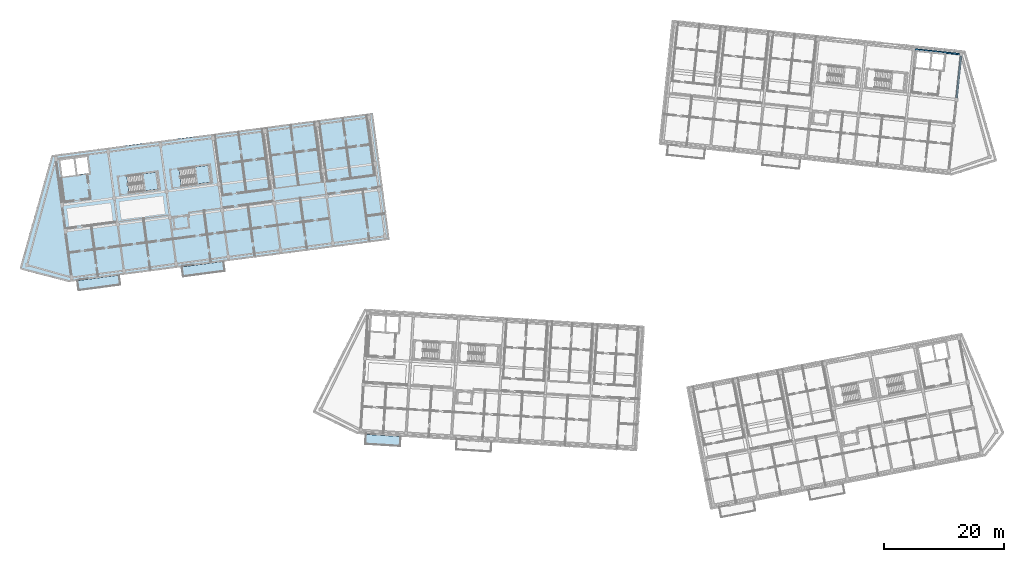
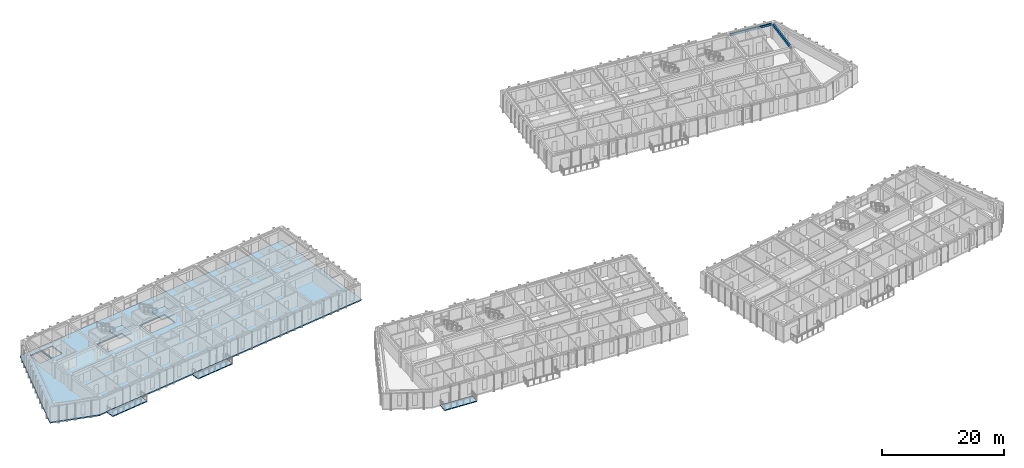
# One storey, part 16 of 66: 6 slabs, 2 beams, 2 elements without a shape of their own.
"""IFC4 building model written with IfcOpenShell, lengths in metres."""

from ifc_helpers import new_model, si_unit, direction, frame, origin, origin_2d, place, context, subcontext, project, spatial, polyline, rectangle, outline, extrude, material, layer, layer_set, material_profile, profile_set, type_object, element, aggregate, save


model = new_model("IFC4")

# Units and contexts
model_context = context("Model", 3, precision=1e-05, world=origin(), true_north=direction((0.0, 1.0)))
body_context = subcontext(model_context, "Body", "Model", "MODEL_VIEW")
ifc_project = project(units=[si_unit("LENGTHUNIT", "METRE"), si_unit("AREAUNIT", "SQUARE_METRE"), si_unit("VOLUMEUNIT", "CUBIC_METRE"), si_unit("PLANEANGLEUNIT", "RADIAN"), si_unit("MASSUNIT", "GRAM", prefix="KILO")], contexts=[model_context])

# Site, building, storey
site_placement = place(None, origin())
site = spatial("IfcSite", under=ifc_project, at=site_placement, CompositionType="ELEMENT")
building_placement = place(site_placement, origin())
building = spatial("IfcBuilding", under=site, at=building_placement, Name="Kestramere Prow Commons", CompositionType="ELEMENT")
storey_placement = place(building_placement, frame((0.0, 0.0, 14.89990234375)))
storey = spatial("IfcBuildingStorey", under=building, at=storey_placement, Name="L04", CompositionType="ELEMENT", Elevation=14.89990234375)

# Beams
ifc_material_1 = material(Name="Precast concrete C40/50", Category="concrete")
ifc_material_profile_1 = material_profile(ifc_material_1, rectangle(XDim=0.300048828125, YDim=0.5, at=origin_2d()), Name="PC-BM 300x500")
ifc_profile_set_1 = profile_set([ifc_material_profile_1], Name="Precast concrete C40/50")
beam_type_1 = type_object("IfcBeamType", Name="BM-TIE-01 PC-BM 300x500", PredefinedType="BEAM", material=ifc_profile_set_1)
beam_1_placement = place(storey_placement, frame((159.02001953125, 101.990478515625, 2.75), z_axis=(0.104549582151, 0.994519675458, 0.0), x_axis=(-0.994519675458, 0.104549582151, 0.0)))
element("IfcBeam", 1, at=beam_1_placement, inside=storey, type_object=beam_type_1, Name="Block B L04 Transverse Beam 7-3", PredefinedType="BEAM", context=body_context, shape_type="SweptSolid", body=[
    extrude(rectangle(XDim=0.300048828125, YDim=0.5, at=origin_2d()), origin(), (0.0, 0.0, 1.0), 7.0498046875),
])
ifc_material_profile_2 = material_profile(ifc_material_1, rectangle(XDim=0.25, YDim=0.39990234375, at=origin_2d()), Name="PC-SP 250x400")
ifc_profile_set_2 = profile_set([ifc_material_profile_2], Name="Precast concrete C40/50")
beam_type_2 = type_object("IfcBeamType", Name="SP-EXT-01 PC-SP 250x400", PredefinedType="SPANDREL", material=ifc_profile_set_2)
beam_2_placement = place(storey_placement, frame((152.10302734375, 110.082763671875, 2.800048828125), z_axis=(0.994520884665, -0.104538079019, 0.0), x_axis=(0.104538079019, 0.994520884665, 0.0)))
element("IfcBeam", 2, at=beam_2_placement, inside=storey, type_object=beam_type_2, Name="Block B L04 Longitudinal Beam 4-6", PredefinedType="SPANDREL", context=body_context, shape_type="SweptSolid", body=[
    extrude(rectangle(XDim=0.25, YDim=0.39990234375, at=origin_2d()), origin(), (0.0, 0.0, 1.0), 7.449951171875),
])

# Slabs
ifc_layer_1 = layer(ifc_material_1, 0.179931640625)
ifc_layer_set_1 = layer_set([ifc_layer_1], Name="Precast concrete C40/50")
slab_type_1 = type_object("IfcSlabType", Name="SL-BALC-180", PredefinedType="FLOOR", material=ifc_layer_set_1)
slab_1_placement = place(storey_placement, frame((0.0, 0.0, -0.179931640625)))
element("IfcSlab", 3, at=slab_1_placement, inside=storey, type_object=slab_type_1, Name="Block A L04 Apartment Balcony Slab 1", PredefinedType="FLOOR", context=body_context, shape_type="SweptSolid", body=[
    extrude(outline(polyline([(12.343017578125, 69.83056640625), (19.382080078125, 70.75732421875), (19.166748046875, 72.393310546875), (12.127685546875, 71.466552734375), (12.343017578125, 69.83056640625)])), origin(), (0.0, 0.0, 1.0), 0.179931640625),
])
slab_2_placement = place(storey_placement, frame((0.0, 0.0, -0.179931640625)))
element("IfcSlab", 4, at=slab_2_placement, inside=storey, type_object=slab_type_1, Name="Block A L04 Apartment Balcony Slab 3", PredefinedType="FLOOR", context=body_context, shape_type="SweptSolid", body=[
    extrude(outline(polyline([(29.79248046875, 72.1279296875), (36.83154296875, 73.0546875), (36.6162109375, 74.6904296875), (29.576904296875, 73.763671875), (29.79248046875, 72.1279296875)])), origin(), (0.0, 0.0, 1.0), 0.179931640625),
])
slab_3_placement = place(storey_placement, frame((0.0, 0.0, -0.179931640625)))
element("IfcSlab", 5, at=slab_3_placement, inside=storey, type_object=slab_type_1, Name="Block C L04 Apartment Balcony Slab 1", PredefinedType="FLOOR", context=body_context, shape_type="SweptSolid", body=[
    extrude(outline(polyline([(60.2080078125, 44.15234375), (66.096923828125, 43.792236328125), (66.19775390625, 45.439208984375), (60.308837890625, 45.79931640625), (60.2080078125, 44.15234375)])), origin(), (0.0, 0.0, 1.0), 0.179931640625),
])
ifc_layer_2 = layer(ifc_material_1, 0.25)
ifc_layer_set_2 = layer_set([ifc_layer_2], Name="Precast concrete C40/50")
slab_type_2 = type_object("IfcSlabType", Name="SL-HC-250", PredefinedType="FLOOR", material=ifc_layer_set_2)
slab_4_placement = place(storey_placement, frame((0.0, 0.0, -0.25)))
element("IfcSlab", 6, at=slab_4_placement, inside=storey, type_object=slab_type_2, Name="Block A L04 Hollowcore Floor Slab", PredefinedType="FLOOR", context=body_context, shape_type="SweptSolid", body=[
    extrude(outline(polyline([(2.58203125, 73.48779296875), (10.640380859375, 71.270751953125), (64.277587890625, 78.332275390625), (61.497314453125, 99.449951171875), (7.860107421875, 92.388427734375), (2.58203125, 73.48779296875)]), holes=[polyline([(9.638427734375, 88.84033203125), (11.9189453125, 89.140380859375), (11.559814453125, 91.866943359375), (9.279541015625, 91.566650390625), (9.638427734375, 88.84033203125)]), polyline([(12.166748046875, 89.173095703125), (14.149658203125, 89.43408203125), (13.790771484375, 92.16064453125), (11.807861328125, 91.899658203125), (12.166748046875, 89.173095703125)]), polyline([(20.78857421875, 86.122314453125), (25.844970703125, 86.7880859375), (25.47314453125, 89.61376953125), (20.416748046875, 88.947998046875), (20.78857421875, 86.122314453125)]), polyline([(29.513427734375, 87.27099609375), (34.56982421875, 87.936767578125), (34.19775390625, 90.76220703125), (29.141357421875, 90.0966796875), (29.513427734375, 87.27099609375)])]), origin(), (0.0, 0.0, 1.0), 0.25),
])

# Stair, slab
ifc_material_2 = material(Name="Concrete C40/50", Category="concrete")
stair_type = type_object("IfcStairType", Name="ST-DOG-1350", PredefinedType="HALF_TURN_STAIR", material=ifc_material_2)
stair_1_placement = place(storey_placement, origin())
stair_1 = element("IfcStair", 7, at=stair_1_placement, inside=storey, type_object=stair_type, Name="L04 Block A Exit Stair 1", PredefinedType="HALF_TURN_STAIR")
ifc_layer_3 = layer(ifc_material_2, 0.199951171875)
ifc_layer_set_3 = layer_set([ifc_layer_3], Name="Concrete C40/50")
slab_type_3 = type_object("IfcSlabType", Name="SL-ST-LAND-200", PredefinedType="LANDING", material=ifc_layer_set_3)
slab_5_placement = place(storey_placement, frame((0.0, 0.0, 1.425048828125)))
slab_5 = element("IfcSlab", 8, at=slab_5_placement, type_object=slab_type_3, Name="ST-A1 landing 1", PredefinedType="LANDING", context=body_context, shape_type="SweptSolid", body=[
    extrude(outline(polyline([(23.287109375, 86.451416015625), (25.844970703125, 86.7880859375), (25.47314453125, 89.61376953125), (22.9150390625, 89.27685546875), (23.287109375, 86.451416015625)])), origin(), (0.0, 0.0, 1.0), 0.199951171875),
])
aggregate(stair_1, [slab_5])

stair_2_placement = place(storey_placement, origin())
stair_2 = element("IfcStair", 9, at=stair_2_placement, inside=storey, type_object=stair_type, Name="L04 Block A Exit Stair 2", PredefinedType="HALF_TURN_STAIR")
slab_6_placement = place(storey_placement, frame((0.0, 0.0, 1.425048828125)))
slab_6 = element("IfcSlab", 10, at=slab_6_placement, type_object=slab_type_3, Name="ST-A2 landing 1", PredefinedType="LANDING", context=body_context, shape_type="SweptSolid", body=[
    extrude(outline(polyline([(32.011962890625, 87.599853515625), (34.56982421875, 87.936767578125), (34.19775390625, 90.76220703125), (31.639892578125, 90.425537109375), (32.011962890625, 87.599853515625)])), origin(), (0.0, 0.0, 1.0), 0.199951171875),
])
aggregate(stair_2, [slab_6])

save(model, "model.ifc")
